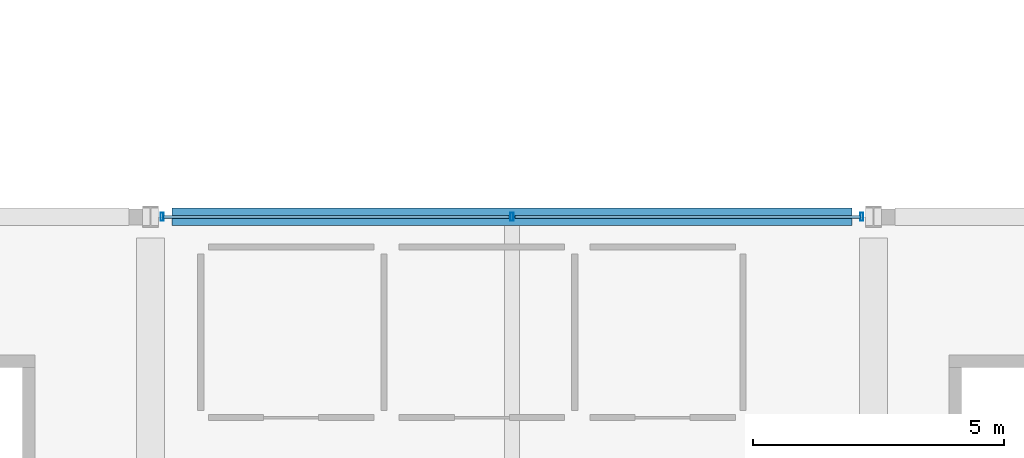
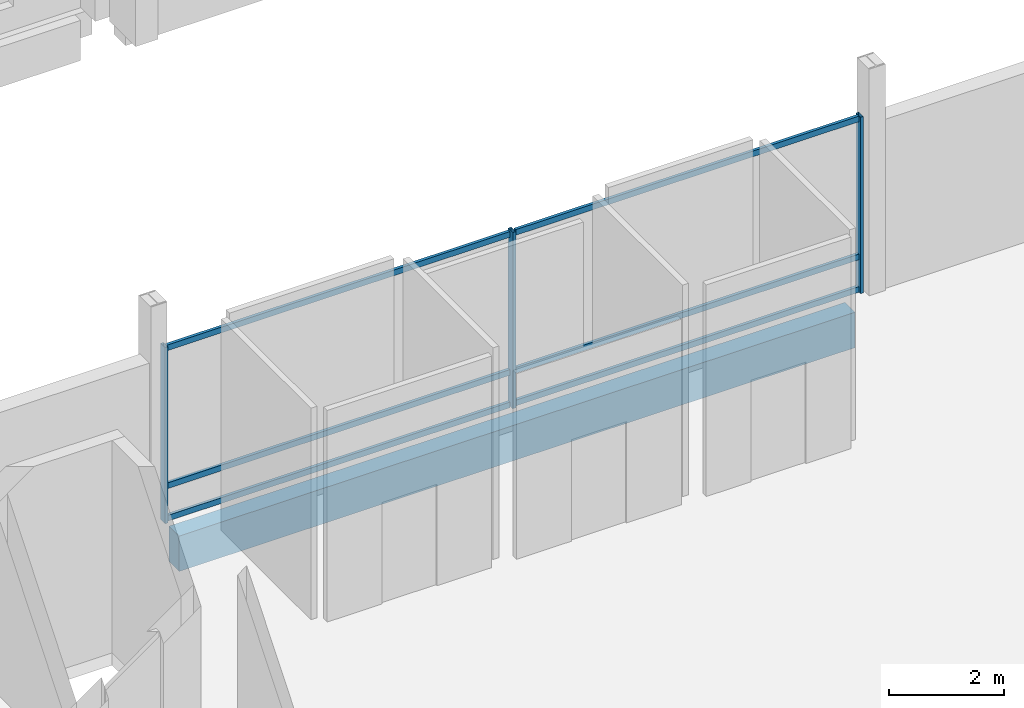
# One storey, part 35 of 220: 9 members, 1 beam, 1 element without a shape of its own.
"""IFC4 building model written with IfcOpenShell, lengths in metres."""

import ifcopenshell
import ifcopenshell.guid

model = None  # the IFC model being written
_history = None  # IfcOwnerHistory: only IFC2X3 demands one
_inside = {}  # id of a spatial element -> (the spatial element, [elements in it])
_under = {}  # id of a project, library or spatial element -> (it, [spatial elements below it])
_declared = {}  # id of a project -> (the project, [libraries it declares])
_typed = {}  # id of a type object -> (the type object, [elements of that type])
_made_of = {}  # id of a material, layer set ... -> (it, [elements and type objects made of it])


def new_model(schema):
    """Start an empty IFC model of exactly this schema.

    Asked for "IFC4X3", IfcOpenShell would pick the latest addendum, in which some entities
    have other attributes; the version numbers below select the first issue.
    IFC2X3 requires an IfcOwnerHistory on every rooted entity: one is made here for all.
    """
    global model, _history
    if schema == "IFC4X3":
        model = ifcopenshell.file(schema_version=(4, 3, 0, 0))
    else:
        model = ifcopenshell.file(schema=schema)
    _inside.clear()
    _under.clear()
    _declared.clear()
    _typed.clear()
    _made_of.clear()
    _history = None
    if model.schema == "IFC2X3":
        org = make("IfcOrganization", Name="unknown")
        user = make(
            "IfcPersonAndOrganization",
            ThePerson=make("IfcPerson", FamilyName="unknown"),
            TheOrganization=org,
        )
        app = make(
            "IfcApplication",
            ApplicationDeveloper=org,
            Version="unknown",
            ApplicationFullName="unknown",
            ApplicationIdentifier="unknown",
        )
        _history = make(
            "IfcOwnerHistory",
            OwningUser=user,
            OwningApplication=app,
            ChangeAction="ADDED",
            CreationDate=0,
        )
    return model


def make(cls, **values):
    """One entity of the class cls with the attributes given. An attribute that is None is left unset."""
    return model.create_entity(
        cls, **{name: value for name, value in values.items() if value is not None}
    )


def rooted(cls, **values):
    """An entity with a GlobalId (a new one), such as an element, a storey or a relation."""
    return make(cls, GlobalId=ifcopenshell.guid.new(), OwnerHistory=_history, **values)


def si_unit(unit_type, name, prefix=None):
    """IfcSIUnit, for example si_unit("LENGTHUNIT", "METRE", prefix="MILLI")."""
    return make("IfcSIUnit", UnitType=unit_type, Prefix=prefix, Name=name)


def assignment(units):
    """IfcUnitAssignment: the units of a project."""
    return None if units is None else make("IfcUnitAssignment", Units=units)


def point(xyz):
    """IfcCartesianPoint."""
    return None if xyz is None else make("IfcCartesianPoint", Coordinates=xyz)


def direction(xyz):
    """IfcDirection."""
    return None if xyz is None else make("IfcDirection", DirectionRatios=xyz)


def frame(location, z_axis=None, x_axis=None):
    """IfcAxis2Placement3D, a coordinate frame: its origin and axes. An axis left out is left unset."""
    return make(
        "IfcAxis2Placement3D",
        Location=point(location),
        Axis=direction(z_axis),
        RefDirection=direction(x_axis),
    )


def frame_2d(location, x_axis=None):
    """IfcAxis2Placement2D, a coordinate frame in the plane: its origin and x axis."""
    return make(
        "IfcAxis2Placement2D", Location=point(location), RefDirection=direction(x_axis)
    )


def origin():
    """The frame at (0, 0, 0) with its axes left unset."""
    return frame((0.0, 0.0, 0.0))


def origin_2d():
    """The frame at (0, 0) in the plane with its x axis left unset."""
    return frame_2d((0.0, 0.0))


def place(relative_to, where):
    """IfcLocalPlacement: puts the frame where relative to a parent placement (None: the world)."""
    return make(
        "IfcLocalPlacement", PlacementRelTo=relative_to, RelativePlacement=where
    )


def context(
    kind, dimensions, precision=None, world=None, true_north=None, identifier=None
):
    """IfcGeometricRepresentationContext, for example the 3D "Model" context."""
    return make(
        "IfcGeometricRepresentationContext",
        ContextIdentifier=identifier,
        ContextType=kind,
        CoordinateSpaceDimension=dimensions,
        Precision=precision,
        WorldCoordinateSystem=world,
        TrueNorth=true_north,
    )


def subcontext(parent, identifier, kind, view, scale=None):
    """IfcGeometricRepresentationSubContext, for example "Body" below "Model"."""
    return make(
        "IfcGeometricRepresentationSubContext",
        ContextIdentifier=identifier,
        ContextType=kind,
        ParentContext=parent,
        TargetScale=scale,
        TargetView=view,
    )


def project(units=None, contexts=None):
    """IfcProject with its units and contexts."""
    return rooted(
        "IfcProject",
        Name="project",
        RepresentationContexts=contexts,
        UnitsInContext=assignment(units),
    )


def spatial(cls, under=None, at=None, **own):
    """A site, building, storey or space (cls), placed at a placement, below another one or the project."""
    s = rooted(cls, ObjectPlacement=at, **own)
    if under is not None:
        _under.setdefault(under.id(), (under, []))[1].append(s)
    return s


def profile(cls, at=None, kind="AREA", **sizes):
    """A parametric profile (cls). Its sizes go by their IFC names, for example OverallWidth=200.0."""
    return make(cls, ProfileType=kind, Position=at, **sizes)


def rectangle(**sizes):
    """IfcRectangleProfileDef."""
    return profile("IfcRectangleProfileDef", **sizes)


def hollow_rectangle(**sizes):
    """IfcRectangleHollowProfileDef."""
    return profile("IfcRectangleHollowProfileDef", **sizes)


def extrude(swept, where, along, depth):
    """IfcExtrudedAreaSolid: the profile swept, set in the frame where, extruded along a direction by depth."""
    return make(
        "IfcExtrudedAreaSolid",
        SweptArea=swept,
        Position=where,
        ExtrudedDirection=direction(along),
        Depth=depth,
    )


def shape(context_of_items, identifier, shape_type, items):
    """IfcShapeRepresentation: the items that make up one representation, for example the "Body"."""
    return make(
        "IfcShapeRepresentation",
        ContextOfItems=context_of_items,
        RepresentationIdentifier=identifier,
        RepresentationType=shape_type,
        Items=items,
    )


def material(Name=None, Category=None):
    """IfcMaterial."""
    return make("IfcMaterial", Name=Name, Category=Category)


def material_profile(
    of_material, cross_section, Name=None, Category=None, Priority=None
):
    """IfcMaterialProfile: a cross section and its material."""
    return make(
        "IfcMaterialProfile",
        Name=Name,
        Material=of_material,
        Profile=cross_section,
        Priority=Priority,
        Category=Category,
    )


def profile_set(profiles, Name=None, composite=None):
    """IfcMaterialProfileSet."""
    return make(
        "IfcMaterialProfileSet",
        Name=Name,
        MaterialProfiles=profiles,
        CompositeProfile=composite,
    )


def made_of(thing, what):
    """Note that an element or type object is made of a material, layer set ...; save() writes the relation."""
    if what is not None:
        _made_of.setdefault(what.id(), (what, []))[1].append(thing)
    return thing


def type_object(cls, material=None, **own):
    """A type object (cls), such as IfcWallType, which elements share."""
    return made_of(rooted(cls, **own), material)


def element(
    cls,
    number,
    at=None,
    inside=None,
    cuts=None,
    type_object=None,
    material=None,
    context=None,
    identifier="Body",
    shape_type=None,
    held_by="IfcProductDefinitionShape",
    body=None,
    shapes=None,
    **own,
):
    """One element of the class cls, such as IfcWall. Its Tag is "e" and its number.

    at: its placement. inside: the storey or other place that contains it. cuts: it is an
    opening in that element (IfcRelVoidsElement). A single representation is given by context,
    identifier, shape_type and body (its items); several are given by shapes. held_by: the class
    of the entity that holds the representations. save() writes the other relations.
    """
    e = rooted(cls, Tag="e%d" % number, ObjectPlacement=at, **own)
    if body is not None:
        shapes = [shape(context, identifier, shape_type, body)]
    if shapes is not None:
        e.Representation = make(held_by, Representations=shapes)
    if inside is not None:
        _inside.setdefault(inside.id(), (inside, []))[1].append(e)
    if cuts is not None:
        rooted(
            "IfcRelVoidsElement", RelatingBuildingElement=cuts, RelatedOpeningElement=e
        )
    if type_object is not None:
        _typed.setdefault(type_object.id(), (type_object, []))[1].append(e)
    return made_of(e, material)


def aggregate(whole, parts):
    """IfcRelAggregates: a whole, such as a stair, and the parts it consists of."""
    return rooted("IfcRelAggregates", RelatingObject=whole, RelatedObjects=parts)


def save(model, path):
    """Write the relations noted so far, then the file.

    IfcRelAggregates (storeys below a building ...), IfcRelContainedInSpatialStructure (elements
    in a storey), IfcRelDefinesByType, IfcRelAssociatesMaterial and IfcRelDeclares: one each for
    every whole, place, type object, material and project.
    """
    for whole, parts in _under.values():
        aggregate(whole, parts)
    for where, things in _inside.values():
        rooted(
            "IfcRelContainedInSpatialStructure",
            RelatedElements=things,
            RelatingStructure=where,
        )
    for kind, things in _typed.values():
        rooted("IfcRelDefinesByType", RelatedObjects=things, RelatingType=kind)
    for what, things in _made_of.values():
        rooted("IfcRelAssociatesMaterial", RelatedObjects=things, RelatingMaterial=what)
    for by, libraries in _declared.values():
        rooted("IfcRelDeclares", RelatingContext=by, RelatedDefinitions=libraries)
    model.write(path)


model = new_model("IFC4")

# Units and contexts
model_context = context("Model", 3, precision=1e-05, world=origin(), true_north=direction((0.0, 1.0)))
body_context = subcontext(model_context, "Body", "Model", "MODEL_VIEW")
ifc_project = project(units=[si_unit("LENGTHUNIT", "METRE"), si_unit("AREAUNIT", "SQUARE_METRE"), si_unit("VOLUMEUNIT", "CUBIC_METRE"), si_unit("PLANEANGLEUNIT", "RADIAN"), si_unit("MASSUNIT", "GRAM", prefix="KILO")], contexts=[model_context])

# Site, building, storey
site_placement = place(None, origin())
site = spatial("IfcSite", under=ifc_project, at=site_placement, CompositionType="ELEMENT")
building_placement = place(site_placement, origin())
building = spatial("IfcBuilding", under=site, at=building_placement, Name="Cendralis Lancet Convention Centre", CompositionType="ELEMENT")
storey_placement = place(building_placement, frame((0.0, 0.0, 5.39990234375)))
storey = spatial("IfcBuildingStorey", under=building, at=storey_placement, Name="L01", CompositionType="ELEMENT", Elevation=5.39990234375)

# Curtain wall, members
ifc_material_1 = material(Name="Anodised bronze architectural aluminium", Category="aluminium")
curtain_wall_type = type_object("IfcCurtainWallType", Name="ARC-CW-CL02", PredefinedType="USERDEFINED", material=ifc_material_1)
curtain_wall_placement = place(storey_placement, origin())
curtain_wall = element("IfcCurtainWall", 1, at=curtain_wall_placement, inside=storey, type_object=curtain_wall_type, Name="L01 Curtain Wall CW-CL2 #166", ObjectType="CURTAIN WALL", PredefinedType="USERDEFINED")
ifc_material_profile_1 = material_profile(ifc_material_1, hollow_rectangle(XDim=0.06005859375, YDim=0.159912109375, WallThickness=0.00390625, at=origin_2d()), Name="AL-MULL 60x160x4.0")
ifc_profile_set_1 = profile_set([ifc_material_profile_1], Name="Anodised bronze architectural aluminium")
member_type_1 = type_object("IfcMemberType", Name="ARC-CW-ML01", PredefinedType="MULLION", material=ifc_profile_set_1)
member_1_placement = place(storey_placement, frame((43.429931640625, 36.0, 0.0), z_axis=(0.0, 0.0, 1.0), x_axis=(1.0, 0.0, 0.0)))
member_1 = element("IfcMember", 2, at=member_1_placement, type_object=member_type_1, Name="Mullion CW2-CW-CL2-L01-166-M0", PredefinedType="MULLION", context=body_context, shape_type="SweptSolid", body=[
    extrude(hollow_rectangle(XDim=0.06005859375, YDim=0.159912109375, WallThickness=0.00390625, at=origin_2d()), origin(), (0.0, 0.0, 1.0), 3.735107421875),
])
member_2_placement = place(storey_placement, frame((50.39990234375, 36.0, 0.0), z_axis=(0.0, 0.0, 1.0), x_axis=(1.0, 0.0, 0.0)))
member_2 = element("IfcMember", 3, at=member_2_placement, type_object=member_type_1, Name="Mullion CW2-CW-CL2-L01-166-M1", PredefinedType="MULLION", context=body_context, shape_type="SweptSolid", body=[
    extrude(hollow_rectangle(XDim=0.06005859375, YDim=0.159912109375, WallThickness=0.00390625, at=origin_2d()), origin(), (0.0, 0.0, 1.0), 3.735107421875),
])
member_3_placement = place(storey_placement, frame((57.3701171875, 36.0, 0.0), z_axis=(0.0, 0.0, 1.0), x_axis=(1.0, 0.0, 0.0)))
member_3 = element("IfcMember", 4, at=member_3_placement, type_object=member_type_1, Name="Mullion CW2-CW-CL2-L01-166-M2", PredefinedType="MULLION", context=body_context, shape_type="SweptSolid", body=[
    extrude(hollow_rectangle(XDim=0.06005859375, YDim=0.159912109375, WallThickness=0.00390625, at=origin_2d()), origin(), (0.0, 0.0, 1.0), 3.735107421875),
])
ifc_material_profile_2 = material_profile(ifc_material_1, hollow_rectangle(XDim=0.06005859375, YDim=0.1201171875, WallThickness=0.00390625, at=origin_2d()), Name="AL-TRAN 60x120x4.0")
ifc_profile_set_2 = profile_set([ifc_material_profile_2], Name="Anodised bronze architectural aluminium")
member_type_2 = type_object("IfcMemberType", Name="ARC-CW-TR01", PredefinedType="USERDEFINED", material=ifc_profile_set_2)
member_4_placement = place(storey_placement, frame((43.4599609375, 36.0, 0.06005859375), z_axis=(1.0, 0.0, 0.0), x_axis=(0.0, 1.0, 0.0)))
member_4 = element("IfcMember", 5, at=member_4_placement, type_object=member_type_2, Name="Transom CW2-CW-CL2-L01-166-T0BOT", ObjectType="TRANSOM", PredefinedType="USERDEFINED", context=body_context, shape_type="SweptSolid", body=[
    extrude(hollow_rectangle(XDim=0.06005859375, YDim=0.1201171875, WallThickness=0.00390625, at=origin_2d()), origin(), (0.0, 0.0, 1.0), 6.880126953125),
])
member_5_placement = place(storey_placement, frame((43.4599609375, 36.0, 0.75), z_axis=(1.0, 0.0, 0.0), x_axis=(0.0, 1.0, 0.0)))
member_5 = element("IfcMember", 6, at=member_5_placement, type_object=member_type_2, Name="Transom CW2-CW-CL2-L01-166-T0MID", ObjectType="TRANSOM", PredefinedType="USERDEFINED", context=body_context, shape_type="SweptSolid", body=[
    extrude(hollow_rectangle(XDim=0.06005859375, YDim=0.1201171875, WallThickness=0.00390625, at=origin_2d()), origin(), (0.0, 0.0, 1.0), 6.880126953125),
])
member_6_placement = place(storey_placement, frame((43.4599609375, 36.0, 3.675048828125), z_axis=(1.0, 0.0, 0.0), x_axis=(0.0, 1.0, 0.0)))
member_6 = element("IfcMember", 7, at=member_6_placement, type_object=member_type_2, Name="Transom CW2-CW-CL2-L01-166-T0TOP", ObjectType="TRANSOM", PredefinedType="USERDEFINED", context=body_context, shape_type="SweptSolid", body=[
    extrude(hollow_rectangle(XDim=0.06005859375, YDim=0.1201171875, WallThickness=0.00390625, at=origin_2d()), origin(), (0.0, 0.0, 1.0), 6.880126953125),
])
member_7_placement = place(storey_placement, frame((50.4599609375, 36.0, 0.06005859375), z_axis=(1.0, 0.0, 0.0), x_axis=(0.0, 1.0, 0.0)))
member_7 = element("IfcMember", 8, at=member_7_placement, type_object=member_type_2, Name="Transom CW2-CW-CL2-L01-166-T1BOT", ObjectType="TRANSOM", PredefinedType="USERDEFINED", context=body_context, shape_type="SweptSolid", body=[
    extrude(hollow_rectangle(XDim=0.06005859375, YDim=0.1201171875, WallThickness=0.00390625, at=origin_2d()), origin(), (0.0, 0.0, 1.0), 6.880126953125),
])
member_8_placement = place(storey_placement, frame((50.4599609375, 36.0, 0.75), z_axis=(1.0, 0.0, 0.0), x_axis=(0.0, 1.0, 0.0)))
member_8 = element("IfcMember", 9, at=member_8_placement, type_object=member_type_2, Name="Transom CW2-CW-CL2-L01-166-T1MID", ObjectType="TRANSOM", PredefinedType="USERDEFINED", context=body_context, shape_type="SweptSolid", body=[
    extrude(hollow_rectangle(XDim=0.06005859375, YDim=0.1201171875, WallThickness=0.00390625, at=origin_2d()), origin(), (0.0, 0.0, 1.0), 6.880126953125),
])
member_9_placement = place(storey_placement, frame((50.4599609375, 36.0, 3.675048828125), z_axis=(1.0, 0.0, 0.0), x_axis=(0.0, 1.0, 0.0)))
member_9 = element("IfcMember", 10, at=member_9_placement, type_object=member_type_2, Name="Transom CW2-CW-CL2-L01-166-T1TOP", ObjectType="TRANSOM", PredefinedType="USERDEFINED", context=body_context, shape_type="SweptSolid", body=[
    extrude(hollow_rectangle(XDim=0.06005859375, YDim=0.1201171875, WallThickness=0.00390625, at=origin_2d()), origin(), (0.0, 0.0, 1.0), 6.880126953125),
])
aggregate(curtain_wall, [member_1, member_2, member_3, member_4, member_5, member_6, member_7, member_8, member_9])

# Beam
ifc_material_2 = material(Name="Concrete G40 (C40/50)", Category="concrete")
ifc_material_profile_3 = material_profile(ifc_material_2, rectangle(XDim=0.35009765625, YDim=0.75, at=origin_2d()), Name="RCB 350x750")
ifc_profile_set_3 = profile_set([ifc_material_profile_3], Name="Concrete G40 (C40/50)")
beam_type = type_object("IfcBeamType", Name="STR-SP-SP01", PredefinedType="SPANDREL", material=ifc_profile_set_3)
beam_placement = place(storey_placement, frame((43.625, 36.0, -0.65478515625), z_axis=(1.0, 0.0, 0.0), x_axis=(0.0, 1.0, 0.0)))
element("IfcBeam", 11, at=beam_placement, inside=storey, type_object=beam_type, Name="L01 Beam SP01 #0765", PredefinedType="SPANDREL", context=body_context, shape_type="SweptSolid", body=[
    extrude(rectangle(XDim=0.35009765625, YDim=0.75, at=origin_2d()), origin(), (0.0, 0.0, 1.0), 13.550048828125),
])

save(model, "model.ifc")
